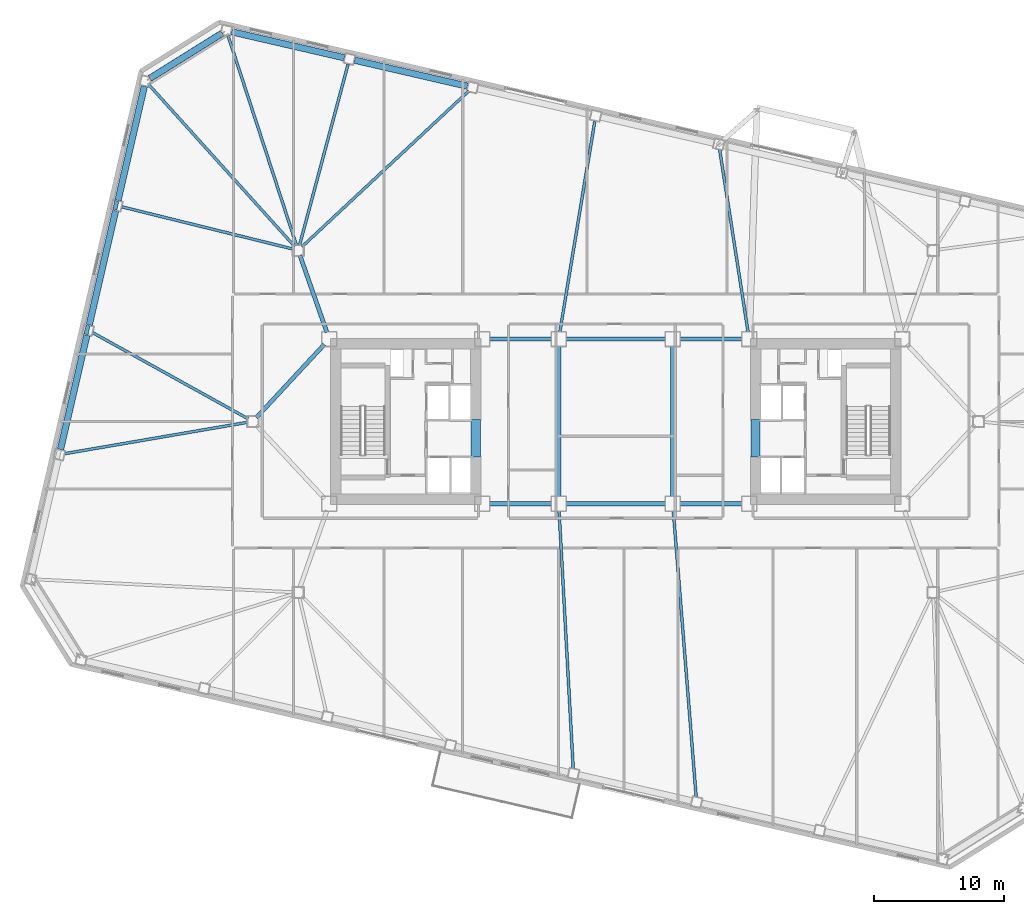
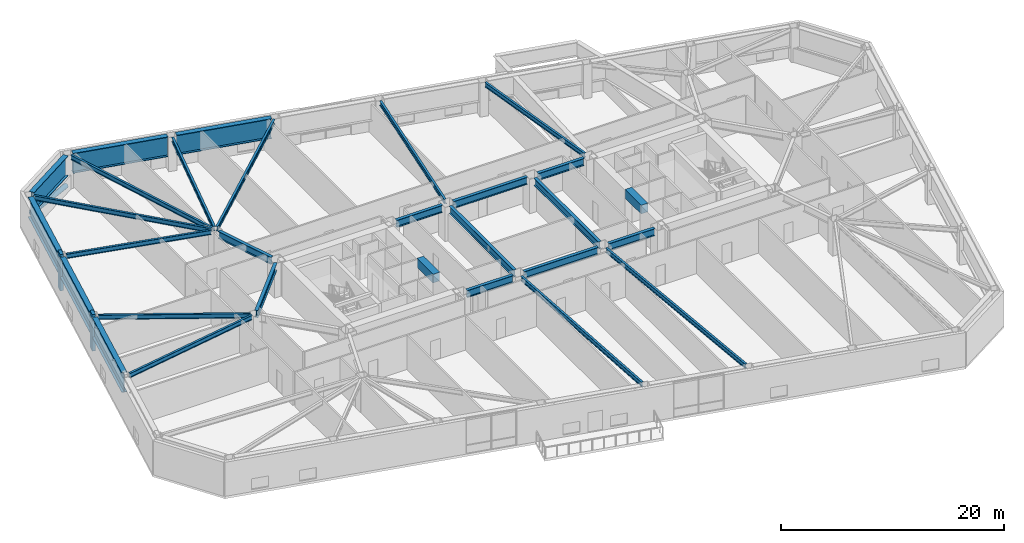
# One storey, part 5 of 21: 29 beams, 3 members.
"""IFC4 building model written with IfcOpenShell, lengths in metres."""

import ifcopenshell
import ifcopenshell.guid

model = None  # the IFC model being written
_history = None  # IfcOwnerHistory: only IFC2X3 demands one
_inside = {}  # id of a spatial element -> (the spatial element, [elements in it])
_under = {}  # id of a project, library or spatial element -> (it, [spatial elements below it])
_declared = {}  # id of a project -> (the project, [libraries it declares])
_typed = {}  # id of a type object -> (the type object, [elements of that type])
_made_of = {}  # id of a material, layer set ... -> (it, [elements and type objects made of it])


def new_model(schema):
    """Start an empty IFC model of exactly this schema.

    Asked for "IFC4X3", IfcOpenShell would pick the latest addendum, in which some entities
    have other attributes; the version numbers below select the first issue.
    IFC2X3 requires an IfcOwnerHistory on every rooted entity: one is made here for all.
    """
    global model, _history
    if schema == "IFC4X3":
        model = ifcopenshell.file(schema_version=(4, 3, 0, 0))
    else:
        model = ifcopenshell.file(schema=schema)
    _inside.clear()
    _under.clear()
    _declared.clear()
    _typed.clear()
    _made_of.clear()
    _history = None
    if model.schema == "IFC2X3":
        org = make("IfcOrganization", Name="unknown")
        user = make(
            "IfcPersonAndOrganization",
            ThePerson=make("IfcPerson", FamilyName="unknown"),
            TheOrganization=org,
        )
        app = make(
            "IfcApplication",
            ApplicationDeveloper=org,
            Version="unknown",
            ApplicationFullName="unknown",
            ApplicationIdentifier="unknown",
        )
        _history = make(
            "IfcOwnerHistory",
            OwningUser=user,
            OwningApplication=app,
            ChangeAction="ADDED",
            CreationDate=0,
        )
    return model


def make(cls, **values):
    """One entity of the class cls with the attributes given. An attribute that is None is left unset."""
    return model.create_entity(
        cls, **{name: value for name, value in values.items() if value is not None}
    )


def rooted(cls, **values):
    """An entity with a GlobalId (a new one), such as an element, a storey or a relation."""
    return make(cls, GlobalId=ifcopenshell.guid.new(), OwnerHistory=_history, **values)


def si_unit(unit_type, name, prefix=None):
    """IfcSIUnit, for example si_unit("LENGTHUNIT", "METRE", prefix="MILLI")."""
    return make("IfcSIUnit", UnitType=unit_type, Prefix=prefix, Name=name)


def assignment(units):
    """IfcUnitAssignment: the units of a project."""
    return None if units is None else make("IfcUnitAssignment", Units=units)


def point(xyz):
    """IfcCartesianPoint."""
    return None if xyz is None else make("IfcCartesianPoint", Coordinates=xyz)


def direction(xyz):
    """IfcDirection."""
    return None if xyz is None else make("IfcDirection", DirectionRatios=xyz)


def frame(location, z_axis=None, x_axis=None):
    """IfcAxis2Placement3D, a coordinate frame: its origin and axes. An axis left out is left unset."""
    return make(
        "IfcAxis2Placement3D",
        Location=point(location),
        Axis=direction(z_axis),
        RefDirection=direction(x_axis),
    )


def frame_2d(location, x_axis=None):
    """IfcAxis2Placement2D, a coordinate frame in the plane: its origin and x axis."""
    return make(
        "IfcAxis2Placement2D", Location=point(location), RefDirection=direction(x_axis)
    )


def origin():
    """The frame at (0, 0, 0) with its axes left unset."""
    return frame((0.0, 0.0, 0.0))


def origin_2d():
    """The frame at (0, 0) in the plane with its x axis left unset."""
    return frame_2d((0.0, 0.0))


def place(relative_to, where):
    """IfcLocalPlacement: puts the frame where relative to a parent placement (None: the world)."""
    return make(
        "IfcLocalPlacement", PlacementRelTo=relative_to, RelativePlacement=where
    )


def context(
    kind, dimensions, precision=None, world=None, true_north=None, identifier=None
):
    """IfcGeometricRepresentationContext, for example the 3D "Model" context."""
    return make(
        "IfcGeometricRepresentationContext",
        ContextIdentifier=identifier,
        ContextType=kind,
        CoordinateSpaceDimension=dimensions,
        Precision=precision,
        WorldCoordinateSystem=world,
        TrueNorth=true_north,
    )


def subcontext(parent, identifier, kind, view, scale=None):
    """IfcGeometricRepresentationSubContext, for example "Body" below "Model"."""
    return make(
        "IfcGeometricRepresentationSubContext",
        ContextIdentifier=identifier,
        ContextType=kind,
        ParentContext=parent,
        TargetScale=scale,
        TargetView=view,
    )


def project(units=None, contexts=None):
    """IfcProject with its units and contexts."""
    return rooted(
        "IfcProject",
        Name="project",
        RepresentationContexts=contexts,
        UnitsInContext=assignment(units),
    )


def spatial(cls, under=None, at=None, **own):
    """A site, building, storey or space (cls), placed at a placement, below another one or the project."""
    s = rooted(cls, ObjectPlacement=at, **own)
    if under is not None:
        _under.setdefault(under.id(), (under, []))[1].append(s)
    return s


def profile(cls, at=None, kind="AREA", **sizes):
    """A parametric profile (cls). Its sizes go by their IFC names, for example OverallWidth=200.0."""
    return make(cls, ProfileType=kind, Position=at, **sizes)


def rectangle(**sizes):
    """IfcRectangleProfileDef."""
    return profile("IfcRectangleProfileDef", **sizes)


def hollow_circle(**sizes):
    """IfcCircleHollowProfileDef."""
    return profile("IfcCircleHollowProfileDef", **sizes)


def i_section(**sizes):
    """IfcIShapeProfileDef."""
    return profile("IfcIShapeProfileDef", **sizes)


def extrude(swept, where, along, depth):
    """IfcExtrudedAreaSolid: the profile swept, set in the frame where, extruded along a direction by depth."""
    return make(
        "IfcExtrudedAreaSolid",
        SweptArea=swept,
        Position=where,
        ExtrudedDirection=direction(along),
        Depth=depth,
    )


def shape(context_of_items, identifier, shape_type, items):
    """IfcShapeRepresentation: the items that make up one representation, for example the "Body"."""
    return make(
        "IfcShapeRepresentation",
        ContextOfItems=context_of_items,
        RepresentationIdentifier=identifier,
        RepresentationType=shape_type,
        Items=items,
    )


def material(Name=None, Category=None):
    """IfcMaterial."""
    return make("IfcMaterial", Name=Name, Category=Category)


def material_profile(
    of_material, cross_section, Name=None, Category=None, Priority=None
):
    """IfcMaterialProfile: a cross section and its material."""
    return make(
        "IfcMaterialProfile",
        Name=Name,
        Material=of_material,
        Profile=cross_section,
        Priority=Priority,
        Category=Category,
    )


def profile_set(profiles, Name=None, composite=None):
    """IfcMaterialProfileSet."""
    return make(
        "IfcMaterialProfileSet",
        Name=Name,
        MaterialProfiles=profiles,
        CompositeProfile=composite,
    )


def made_of(thing, what):
    """Note that an element or type object is made of a material, layer set ...; save() writes the relation."""
    if what is not None:
        _made_of.setdefault(what.id(), (what, []))[1].append(thing)
    return thing


def type_object(cls, material=None, **own):
    """A type object (cls), such as IfcWallType, which elements share."""
    return made_of(rooted(cls, **own), material)


def element(
    cls,
    number,
    at=None,
    inside=None,
    cuts=None,
    type_object=None,
    material=None,
    context=None,
    identifier="Body",
    shape_type=None,
    held_by="IfcProductDefinitionShape",
    body=None,
    shapes=None,
    **own,
):
    """One element of the class cls, such as IfcWall. Its Tag is "e" and its number.

    at: its placement. inside: the storey or other place that contains it. cuts: it is an
    opening in that element (IfcRelVoidsElement). A single representation is given by context,
    identifier, shape_type and body (its items); several are given by shapes. held_by: the class
    of the entity that holds the representations. save() writes the other relations.
    """
    e = rooted(cls, Tag="e%d" % number, ObjectPlacement=at, **own)
    if body is not None:
        shapes = [shape(context, identifier, shape_type, body)]
    if shapes is not None:
        e.Representation = make(held_by, Representations=shapes)
    if inside is not None:
        _inside.setdefault(inside.id(), (inside, []))[1].append(e)
    if cuts is not None:
        rooted(
            "IfcRelVoidsElement", RelatingBuildingElement=cuts, RelatedOpeningElement=e
        )
    if type_object is not None:
        _typed.setdefault(type_object.id(), (type_object, []))[1].append(e)
    return made_of(e, material)


def aggregate(whole, parts):
    """IfcRelAggregates: a whole, such as a stair, and the parts it consists of."""
    return rooted("IfcRelAggregates", RelatingObject=whole, RelatedObjects=parts)


def save(model, path):
    """Write the relations noted so far, then the file.

    IfcRelAggregates (storeys below a building ...), IfcRelContainedInSpatialStructure (elements
    in a storey), IfcRelDefinesByType, IfcRelAssociatesMaterial and IfcRelDeclares: one each for
    every whole, place, type object, material and project.
    """
    for whole, parts in _under.values():
        aggregate(whole, parts)
    for where, things in _inside.values():
        rooted(
            "IfcRelContainedInSpatialStructure",
            RelatedElements=things,
            RelatingStructure=where,
        )
    for kind, things in _typed.values():
        rooted("IfcRelDefinesByType", RelatedObjects=things, RelatingType=kind)
    for what, things in _made_of.values():
        rooted("IfcRelAssociatesMaterial", RelatedObjects=things, RelatingMaterial=what)
    for by, libraries in _declared.values():
        rooted("IfcRelDeclares", RelatingContext=by, RelatedDefinitions=libraries)
    model.write(path)


model = new_model("IFC4")

# Units and contexts
model_context = context("Model", 3, precision=1e-05, world=origin(), true_north=direction((0.0, 1.0)))
body_context = subcontext(model_context, "Body", "Model", "MODEL_VIEW")
ifc_project = project(units=[si_unit("LENGTHUNIT", "METRE"), si_unit("AREAUNIT", "SQUARE_METRE"), si_unit("VOLUMEUNIT", "CUBIC_METRE"), si_unit("PLANEANGLEUNIT", "RADIAN"), si_unit("MASSUNIT", "GRAM", prefix="KILO")], contexts=[model_context])

# Site, building, storey
site_placement = place(None, origin())
site = spatial("IfcSite", under=ifc_project, at=site_placement, CompositionType="ELEMENT")
building_placement = place(site_placement, origin())
building = spatial("IfcBuilding", under=site, at=building_placement, Name="Tavrogorsk Clinical Tower", CompositionType="ELEMENT")
storey_placement = place(building_placement, frame((0.0, 0.0, 59.39990234375)))
storey = spatial("IfcBuildingStorey", under=building, at=storey_placement, Name="L12", CompositionType="ELEMENT", Elevation=59.39990234375)

# Beams
ifc_material_1 = material(Name="Concrete B80", Category="concrete")
ifc_material_profile_1 = material_profile(ifc_material_1, rectangle(XDim=0.699951171875, YDim=0.949951171875, at=origin_2d()), Name="RC-CB-700x950")
ifc_profile_set_1 = profile_set([ifc_material_profile_1], Name="Concrete B80")
beam_type_1 = type_object("IfcBeamType", Name="CouplingBeam_RC700x950", PredefinedType="LINTEL", material=ifc_profile_set_1)
for number, where, z_axis, x_axis, name in (
    (1, (-10.800048828125, -2.75, 3.26513671875), (0.0, 1.0, 0.0), (-1.0, 0.0, 0.0), "L12 Core West Coupling Beam"),
    (2, (10.800048828125, -2.75, 3.26513671875), (0.0, 1.0, 0.0), (-1.0, 0.0, 0.0), "L12 Core East Coupling Beam"),
):
    element("IfcBeam", number, at=place(storey_placement, frame(where, z_axis=z_axis, x_axis=x_axis)), inside=storey, type_object=beam_type_1, Name=name, PredefinedType="LINTEL", context=body_context, shape_type="SweptSolid", body=[
        extrude(rectangle(XDim=0.699951171875, YDim=0.949951171875, at=origin_2d()), origin(), (0.0, 0.0, 1.0), 2.89990234375),
    ])

# Member
ifc_material_2 = material(Name="Structural steel S440", Category="steel")
ifc_material_profile_2 = material_profile(ifc_material_2, hollow_circle(Radius=0.25390625, WallThickness=0.02001953125, at=origin_2d()), Name="CHS-508x20")
ifc_profile_set_2 = profile_set([ifc_material_profile_2], Name="Structural steel S440")
member_type_1 = type_object("IfcMemberType", Name="ExoBrace_CHS508", PredefinedType="BRACE", material=ifc_profile_set_2)
member_placement = place(storey_placement, frame((-30.38134765625, 29.943115234375, 0.365234375), z_axis=(-0.837159026748, -0.523104776539, 0.159769073029), x_axis=(0.5299118025, -0.848052758719, 0.0)))
element("IfcMember", 3, at=member_placement, inside=storey, type_object=member_type_1, Name="L12 Corner Exoskeleton Brace N8-W1", PredefinedType="BRACE", context=body_context, shape_type="SweptSolid", body=[
    extrude(hollow_circle(Radius=0.25390625, WallThickness=0.02001953125, at=origin_2d()), origin(), (0.0, 0.0, 1.0), 6.63330078125),
])

# Beams
ifc_material_3 = material(Name="Structural steel S355", Category="steel")
ifc_material_profile_3 = material_profile(ifc_material_3, i_section(OverallWidth=0.219970703125, OverallDepth=0.5, WebThickness=0.012939453125, FlangeThickness=0.02001953125, at=origin_2d()), Name="B-500x220x13x20")
ifc_profile_set_3 = profile_set([ifc_material_profile_3], Name="Structural steel S355")
beam_type_2 = type_object("IfcBeamType", Name="FloorBeam_B500", PredefinedType="BEAM", material=ifc_profile_set_3)
beam_1_placement = place(storey_placement, frame((-4.369384765625, -6.9091796875, 3.489990234375), z_axis=(0.054826938013, -0.998495872234, 0.0), x_axis=(0.998495872234, 0.054826938013, 0.0)))
element("IfcBeam", 4, at=beam_1_placement, inside=storey, type_object=beam_type_2, Name="L12 Radial Floor Beam S5", PredefinedType="BEAM", context=body_context, shape_type="SweptSolid", body=[
    extrude(i_section(OverallWidth=0.219970703125, OverallDepth=0.5, WebThickness=0.012939453125, FlangeThickness=0.02001953125, at=origin_2d()), origin(), (0.0, 0.0, 1.0), 19.891357421875),
])
beam_2_placement = place(storey_placement, frame((4.444580078125, -6.908203125, 3.489990234375), z_axis=(0.079775043579, -0.996812892384, 0.0), x_axis=(0.996812892384, 0.079775043579, 0.0)))
element("IfcBeam", 5, at=beam_2_placement, inside=storey, type_object=beam_type_2, Name="L12 Radial Floor Beam S6", PredefinedType="BEAM", context=body_context, shape_type="SweptSolid", body=[
    extrude(i_section(OverallWidth=0.219970703125, OverallDepth=0.5, WebThickness=0.012939453125, FlangeThickness=0.02001953125, at=origin_2d()), origin(), (0.0, 0.0, 1.0), 22.12646484375),
])
beam_3_placement = place(storey_placement, frame((10.213623046875, 6.9033203125, 3.489990234375), z_axis=(-0.154089917001, 0.988056829073, 0.0), x_axis=(-0.988056829073, -0.154089917001, 0.0)))
element("IfcBeam", 6, at=beam_3_placement, inside=storey, type_object=beam_type_2, Name="L12 Radial Floor Beam N4", PredefinedType="BEAM", context=body_context, shape_type="SweptSolid", body=[
    extrude(i_section(OverallWidth=0.219970703125, OverallDepth=0.5, WebThickness=0.012939453125, FlangeThickness=0.02001953125, at=origin_2d()), origin(), (0.0, 0.0, 1.0), 14.24853515625),
])
beam_4_placement = place(storey_placement, frame((-4.308349609375, 6.90234375, 3.489990234375), z_axis=(0.163563683006, 0.986532777763, 0.0), x_axis=(-0.986532777763, 0.163563683006, 0.0)))
element("IfcBeam", 7, at=beam_4_placement, inside=storey, type_object=beam_type_2, Name="L12 Radial Floor Beam N5", PredefinedType="BEAM", context=body_context, shape_type="SweptSolid", body=[
    extrude(i_section(OverallWidth=0.219970703125, OverallDepth=0.5, WebThickness=0.012939453125, FlangeThickness=0.02001953125, at=origin_2d()), origin(), (0.0, 0.0, 1.0), 16.4951171875),
])
beam_5_placement = place(storey_placement, frame((-24.200439453125, 13.47998046875, 3.489990234375), z_axis=(0.730781163302, 0.682611816015, 0.0), x_axis=(-0.682611816015, 0.730781163302, 0.0)))
element("IfcBeam", 8, at=beam_5_placement, inside=storey, type_object=beam_type_2, Name="L12 Radial Floor Beam N6", PredefinedType="BEAM", context=body_context, shape_type="SweptSolid", body=[
    extrude(i_section(OverallWidth=0.219970703125, OverallDepth=0.5, WebThickness=0.012939453125, FlangeThickness=0.02001953125, at=origin_2d()), origin(), (0.0, 0.0, 1.0), 17.597412109375),
])
beam_6_placement = place(storey_placement, frame((-24.393798828125, 13.595947265625, 3.489990234375), z_axis=(0.25900262632, 0.965876617151, 0.0), x_axis=(-0.965876617151, 0.25900262632, 0.0)))
element("IfcBeam", 9, at=beam_6_placement, inside=storey, type_object=beam_type_2, Name="L12 Radial Floor Beam N7", PredefinedType="BEAM", context=body_context, shape_type="SweptSolid", body=[
    extrude(i_section(OverallWidth=0.219970703125, OverallDepth=0.5, WebThickness=0.012939453125, FlangeThickness=0.02001953125, at=origin_2d()), origin(), (0.0, 0.0, 1.0), 14.46728515625),
])
beam_7_placement = place(storey_placement, frame((-24.62744140625, 13.58984375, 3.489990234375), z_axis=(-0.310546210819, 0.950558283824, 0.0), x_axis=(-0.950558283824, -0.310546210819, 0.0)))
element("IfcBeam", 10, at=beam_7_placement, inside=storey, type_object=beam_type_2, Name="L12 Radial Floor Beam N8", PredefinedType="BEAM", context=body_context, shape_type="SweptSolid", body=[
    extrude(i_section(OverallWidth=0.219970703125, OverallDepth=0.5, WebThickness=0.012939453125, FlangeThickness=0.02001953125, at=origin_2d()), origin(), (0.0, 0.0, 1.0), 17.0205078125),
])
beam_8_placement = place(storey_placement, frame((-24.774658203125, 13.50439453125, 3.489990234375), z_axis=(-0.669660294237, 0.742667550337, 0.0), x_axis=(-0.742667550337, -0.669660294237, 0.0)))
element("IfcBeam", 11, at=beam_8_placement, inside=storey, type_object=beam_type_2, Name="L12 Radial Floor Beam W1", PredefinedType="BEAM", context=body_context, shape_type="SweptSolid", body=[
    extrude(i_section(OverallWidth=0.219970703125, OverallDepth=0.5, WebThickness=0.012939453125, FlangeThickness=0.02001953125, at=origin_2d()), origin(), (0.0, 0.0, 1.0), 16.76708984375),
])
beam_9_placement = place(storey_placement, frame((-24.89794921875, 13.298095703125, 3.489990234375), z_axis=(-0.970889910259, 0.23952616174, 0.0), x_axis=(-0.23952616174, -0.970889910259, 0.0)))
element("IfcBeam", 12, at=beam_9_placement, inside=storey, type_object=beam_type_2, Name="L12 Radial Floor Beam W2", PredefinedType="BEAM", context=body_context, shape_type="SweptSolid", body=[
    extrude(i_section(OverallWidth=0.219970703125, OverallDepth=0.5, WebThickness=0.012939453125, FlangeThickness=0.02001953125, at=origin_2d()), origin(), (0.0, 0.0, 1.0), 13.595947265625),
])
beam_10_placement = place(storey_placement, frame((-28.358642578125, 0.19873046875, 3.489990234375), z_axis=(-0.874654711976, 0.484746464472, 0.0), x_axis=(-0.484746464472, -0.874654711976, 0.0)))
element("IfcBeam", 13, at=beam_10_placement, inside=storey, type_object=beam_type_2, Name="L12 Radial Floor Beam W3", PredefinedType="BEAM", context=body_context, shape_type="SweptSolid", body=[
    extrude(i_section(OverallWidth=0.219970703125, OverallDepth=0.5, WebThickness=0.012939453125, FlangeThickness=0.02001953125, at=origin_2d()), origin(), (0.0, 0.0, 1.0), 13.7158203125),
])
beam_11_placement = place(storey_placement, frame((-28.404052734375, -0.0693359375, 3.489990234375), z_axis=(-0.985592408786, -0.169137824698, 0.0), x_axis=(0.169137824698, -0.985592408786, 0.0)))
element("IfcBeam", 14, at=beam_11_placement, inside=storey, type_object=beam_type_2, Name="L12 Radial Floor Beam W4", PredefinedType="BEAM", context=body_context, shape_type="SweptSolid", body=[
    extrude(i_section(OverallWidth=0.219970703125, OverallDepth=0.5, WebThickness=0.012939453125, FlangeThickness=0.02001953125, at=origin_2d()), origin(), (0.0, 0.0, 1.0), 14.33056640625),
])

# Members
ifc_material_4 = material(Name="Precast concrete B45 with limestone cladding", Category="masonry")
ifc_material_profile_4 = material_profile(ifc_material_4, rectangle(XDim=0.320068359375, YDim=0.719970703125, at=origin_2d()), Name="LIMESTONE-FIN-320x720")
ifc_profile_set_4 = profile_set([ifc_material_profile_4], Name="Precast concrete B45 with limestone cladding")
member_type_2 = type_object("IfcMemberType", Name="LimestonePleatFin_320x720", PredefinedType="USERDEFINED", material=ifc_profile_set_4)
for number, where, z_axis, x_axis, name in (
    (15, (-38.572265625, 16.67041015625, 0.0), (0.0, 0.0, 1.0), (0.974370064785, -0.224951054344, 0.0), "L12 W Pleated Stone Fin 1"),
    (16, (-40.7900390625, 7.06298828125, 0.0), (0.0, 0.0, 1.0), (0.974370064785, -0.224951054344, 0.0), "L12 W Pleated Stone Fin 2"),
):
    element("IfcMember", number, at=place(storey_placement, frame(where, z_axis=z_axis, x_axis=x_axis)), inside=storey, type_object=member_type_2, Name=name, ObjectType="FIN", PredefinedType="USERDEFINED", context=body_context, shape_type="SweptSolid", body=[
        extrude(rectangle(XDim=0.320068359375, YDim=0.719970703125, at=origin_2d()), origin(), (0.0, 0.0, 1.0), 4.0),
    ])

# Beams
ifc_material_5 = material(Name="Structural steel S390", Category="steel")
ifc_material_profile_5 = material_profile(ifc_material_5, i_section(OverallWidth=0.320068359375, OverallDepth=0.800048828125, WebThickness=0.02001953125, FlangeThickness=0.033935546875, at=origin_2d()), Name="B-800x320x20x34")
ifc_profile_set_5 = profile_set([ifc_material_profile_5], Name="Structural steel S390")
beam_type_3 = type_object("IfcBeamType", Name="PrimaryGirder_B800", PredefinedType="USERDEFINED", material=ifc_profile_set_5)
for number, where, z_axis, x_axis, name in (
    (17, (-9.739990234375, -6.35009765625, 3.340087890625), (1.0, 0.0, 0.0), (0.0, 1.0, 0.0), "L12 Primary Spine Girder MG-01"),
    (18, (-9.739990234375, 6.35009765625, 3.340087890625), (1.0, 0.0, 0.0), (0.0, 1.0, 0.0), "L12 Primary Spine Girder MG-02"),
):
    element("IfcBeam", number, at=place(storey_placement, frame(where, z_axis=z_axis, x_axis=x_axis)), inside=storey, type_object=beam_type_3, Name=name, ObjectType="GIRDER", PredefinedType="USERDEFINED", context=body_context, shape_type="SweptSolid", body=[
        extrude(i_section(OverallWidth=0.320068359375, OverallDepth=0.800048828125, WebThickness=0.02001953125, FlangeThickness=0.033935546875, at=origin_2d()), origin(), (0.0, 0.0, 1.0), 4.780029296875),
    ])
for number, where, z_axis, x_axis, name in (
    (19, (-3.840087890625, -6.35009765625, 3.340087890625), (1.0, 0.0, 0.0), (0.0, 1.0, 0.0), "L12 Primary Spine Girder MG-03"),
    (20, (-3.840087890625, 6.35009765625, 3.340087890625), (1.0, 0.0, 0.0), (0.0, 1.0, 0.0), "L12 Primary Spine Girder MG-04"),
):
    element("IfcBeam", number, at=place(storey_placement, frame(where, z_axis=z_axis, x_axis=x_axis)), inside=storey, type_object=beam_type_3, Name=name, ObjectType="GIRDER", PredefinedType="USERDEFINED", context=body_context, shape_type="SweptSolid", body=[
        extrude(i_section(OverallWidth=0.320068359375, OverallDepth=0.800048828125, WebThickness=0.02001953125, FlangeThickness=0.033935546875, at=origin_2d()), origin(), (0.0, 0.0, 1.0), 7.68017578125),
    ])
for number, where, z_axis, x_axis, name in (
    (21, (4.9599609375, -6.35009765625, 3.340087890625), (1.0, 0.0, 0.0), (0.0, 1.0, 0.0), "L12 Primary Spine Girder MG-05"),
    (22, (4.9599609375, 6.35009765625, 3.340087890625), (1.0, 0.0, 0.0), (0.0, 1.0, 0.0), "L12 Primary Spine Girder MG-06"),
):
    element("IfcBeam", number, at=place(storey_placement, frame(where, z_axis=z_axis, x_axis=x_axis)), inside=storey, type_object=beam_type_3, Name=name, ObjectType="GIRDER", PredefinedType="USERDEFINED", context=body_context, shape_type="SweptSolid", body=[
        extrude(i_section(OverallWidth=0.320068359375, OverallDepth=0.800048828125, WebThickness=0.02001953125, FlangeThickness=0.033935546875, at=origin_2d()), origin(), (0.0, 0.0, 1.0), 4.780029296875),
    ])
for number, where, z_axis, x_axis, name in (
    (23, (-4.39990234375, -5.7900390625, 3.340087890625), (0.0, 1.0, 0.0), (-1.0, 0.0, 0.0), "L12 Primary Spine Girder MG-07"),
    (24, (4.39990234375, -5.7900390625, 3.340087890625), (0.0, 1.0, 0.0), (-1.0, 0.0, 0.0), "L12 Primary Spine Girder MG-08"),
):
    element("IfcBeam", number, at=place(storey_placement, frame(where, z_axis=z_axis, x_axis=x_axis)), inside=storey, type_object=beam_type_3, Name=name, ObjectType="GIRDER", PredefinedType="USERDEFINED", context=body_context, shape_type="SweptSolid", body=[
        extrude(i_section(OverallWidth=0.320068359375, OverallDepth=0.800048828125, WebThickness=0.02001953125, FlangeThickness=0.033935546875, at=origin_2d()), origin(), (0.0, 0.0, 1.0), 11.580078125),
    ])
beam_12_placement = place(storey_placement, frame((-24.364501953125, 12.81298828125, 3.340087890625), z_axis=(0.330668611543, -0.943746930771, 0.0), x_axis=(0.943746930771, 0.330668611543, 0.0)))
element("IfcBeam", 25, at=beam_12_placement, inside=storey, type_object=beam_type_3, Name="L12 Spine Link Girder OPG-3", ObjectType="GIRDER", PredefinedType="USERDEFINED", context=body_context, shape_type="SweptSolid", body=[
    extrude(i_section(OverallWidth=0.320068359375, OverallDepth=0.800048828125, WebThickness=0.02001953125, FlangeThickness=0.033935546875, at=origin_2d()), origin(), (0.0, 0.0, 1.0), 6.288330078125),
])
beam_13_placement = place(storey_placement, frame((-27.720947265625, 0.30029296875, 3.340087890625), z_axis=(0.680671250221, 0.732589004233, 0.0), x_axis=(-0.732589004233, 0.680671250221, 0.0)))
element("IfcBeam", 26, at=beam_13_placement, inside=storey, type_object=beam_type_3, Name="L12 Spine Link Girder OPG-6", ObjectType="GIRDER", PredefinedType="USERDEFINED", context=body_context, shape_type="SweptSolid", body=[
    extrude(i_section(OverallWidth=0.320068359375, OverallDepth=0.800048828125, WebThickness=0.02001953125, FlangeThickness=0.033935546875, at=origin_2d()), origin(), (0.0, 0.0, 1.0), 7.697998046875),
])
ifc_material_6 = material(Name="Structural steel S440", Category="steel")
ifc_material_profile_6 = material_profile(ifc_material_6, i_section(OverallWidth=0.5, OverallDepth=2.199951171875, WebThickness=0.035888671875, FlangeThickness=0.054931640625, at=origin_2d()), Name="DK-2200x500x36x55")
ifc_profile_set_6 = profile_set([ifc_material_profile_6], Name="Structural steel S440")
beam_type_4 = type_object("IfcBeamType", Name="TransferGirder_DK2200", PredefinedType="USERDEFINED", material=ifc_profile_set_6)
for number, where, z_axis, x_axis, name in (
    (27, (-11.43994140625, 25.862548828125, 2.64013671875), (-0.974372766602, 0.224939351168, 0.0), (-0.224939351168, -0.974372766602, 0.0), "L12 Perimeter Spandrel N6-N7"),
    (28, (-20.9384765625, 28.055419921875, 2.64013671875), (-0.974366775889, 0.224965299645, 0.0), (-0.224965299645, -0.974366775889, 0.0), "L12 Perimeter Spandrel N7-N8"),
):
    element("IfcBeam", number, at=place(storey_placement, frame(where, z_axis=z_axis, x_axis=x_axis)), inside=storey, type_object=beam_type_4, Name=name, ObjectType="GIRDER", PredefinedType="USERDEFINED", context=body_context, shape_type="SweptSolid", body=[
        extrude(i_section(OverallWidth=0.5, OverallDepth=2.199951171875, WebThickness=0.035888671875, FlangeThickness=0.054931640625, at=origin_2d()), origin(), (0.0, 0.0, 1.0), 8.9326171875),
    ])
beam_14_placement = place(storey_placement, frame((-30.3857421875, 29.9404296875, 2.64013671875), z_axis=(-0.848044454239, -0.529925092475, 0.0), x_axis=(0.529925092475, -0.848044454239, 0.0)))
element("IfcBeam", 29, at=beam_14_placement, inside=storey, type_object=beam_type_4, Name="L12 Perimeter Spandrel N8-W1", ObjectType="GIRDER", PredefinedType="USERDEFINED", context=body_context, shape_type="SweptSolid", body=[
    extrude(i_section(OverallWidth=0.5, OverallDepth=2.199951171875, WebThickness=0.035888671875, FlangeThickness=0.054931640625, at=origin_2d()), origin(), (0.0, 0.0, 1.0), 6.537841796875),
])
beam_15_placement = place(storey_placement, frame((-36.367919921875, 25.862060546875, 2.64013671875), z_axis=(-0.224952169462, -0.974369807339, 0.0), x_axis=(0.974369807339, -0.224952169462, 0.0)))
element("IfcBeam", 30, at=beam_15_placement, inside=storey, type_object=beam_type_4, Name="L12 Perimeter Spandrel W1-W2", ObjectType="GIRDER", PredefinedType="USERDEFINED", context=body_context, shape_type="SweptSolid", body=[
    extrude(i_section(OverallWidth=0.5, OverallDepth=2.199951171875, WebThickness=0.035888671875, FlangeThickness=0.054931640625, at=origin_2d()), origin(), (0.0, 0.0, 1.0), 9.043701171875),
])
beam_16_placement = place(storey_placement, frame((-38.5859375, 16.2548828125, 2.64013671875), z_axis=(-0.224946252597, -0.974371173343, 0.0), x_axis=(0.974371173343, -0.224946252597, 0.0)))
element("IfcBeam", 31, at=beam_16_placement, inside=storey, type_object=beam_type_4, Name="L12 Perimeter Spandrel W2-W3", ObjectType="GIRDER", PredefinedType="USERDEFINED", context=body_context, shape_type="SweptSolid", body=[
    extrude(i_section(OverallWidth=0.5, OverallDepth=2.199951171875, WebThickness=0.035888671875, FlangeThickness=0.054931640625, at=origin_2d()), origin(), (0.0, 0.0, 1.0), 9.0439453125),
])
beam_17_placement = place(storey_placement, frame((-40.803955078125, 6.6474609375, 2.64013671875), z_axis=(-0.224952169462, -0.974369807339, 0.0), x_axis=(0.974369807339, -0.224952169462, 0.0)))
element("IfcBeam", 32, at=beam_17_placement, inside=storey, type_object=beam_type_4, Name="L12 Perimeter Spandrel W3-W4", ObjectType="GIRDER", PredefinedType="USERDEFINED", context=body_context, shape_type="SweptSolid", body=[
    extrude(i_section(OverallWidth=0.5, OverallDepth=2.199951171875, WebThickness=0.035888671875, FlangeThickness=0.054931640625, at=origin_2d()), origin(), (0.0, 0.0, 1.0), 9.043701171875),
])

save(model, "model.ifc")
